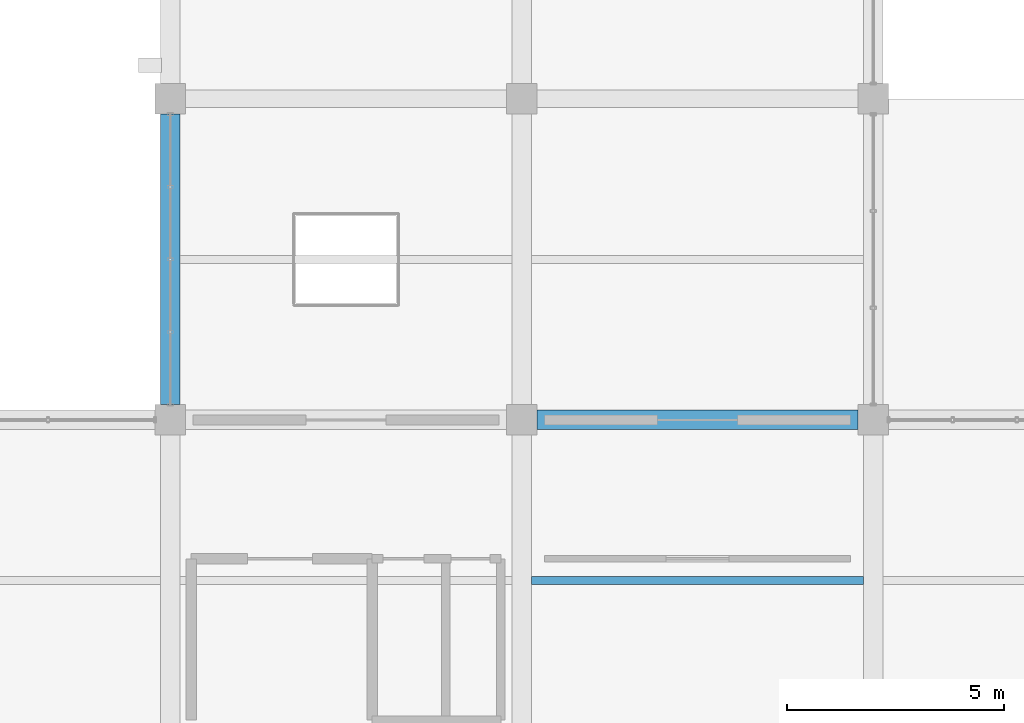
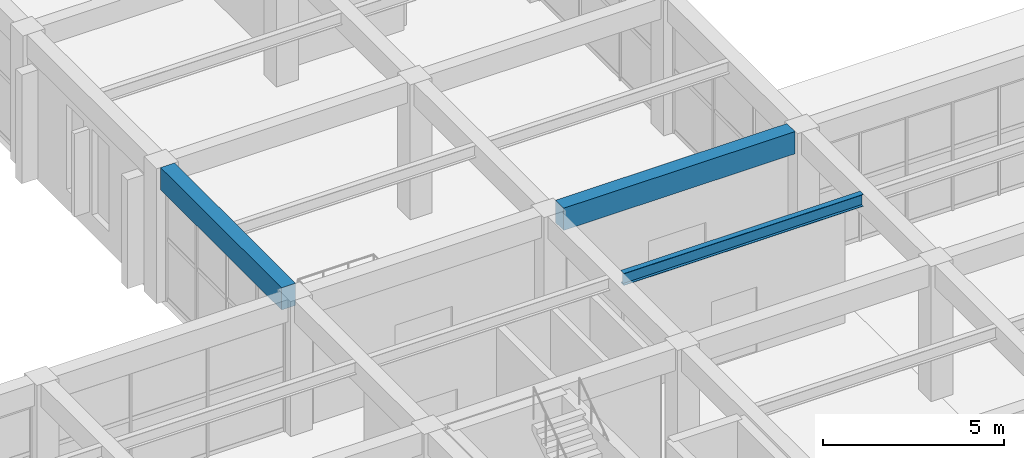
# One storey, part 19 of 161: 3 beams.
"""IFC4 building model written with IfcOpenShell, lengths in metres."""

from ifc_helpers import new_model, si_unit, direction, frame, origin, origin_2d, place, context, subcontext, project, spatial, rectangle, i_section, extrude, material, material_profile, profile_set, type_object, element, save


model = new_model("IFC4")

# Units and contexts
model_context = context("Model", 3, precision=1e-05, world=origin(), true_north=direction((0.0, 1.0)))
body_context = subcontext(model_context, "Body", "Model", "MODEL_VIEW")
ifc_project = project(units=[si_unit("LENGTHUNIT", "METRE"), si_unit("AREAUNIT", "SQUARE_METRE"), si_unit("VOLUMEUNIT", "CUBIC_METRE"), si_unit("PLANEANGLEUNIT", "RADIAN"), si_unit("MASSUNIT", "GRAM", prefix="KILO")], contexts=[model_context])

# Site, building, storey
site_placement = place(None, origin())
site = spatial("IfcSite", under=ifc_project, at=site_placement, CompositionType="ELEMENT")
building_placement = place(site_placement, origin())
building = spatial("IfcBuilding", under=site, at=building_placement, Name="Cimatlan Art Gallery", CompositionType="ELEMENT")
storey_placement = place(building_placement, frame((0.0, 0.0, 5.39990234375)))
storey = spatial("IfcBuildingStorey", under=building, at=storey_placement, Name="L01", CompositionType="ELEMENT", Elevation=5.39990234375)

# Beams
ifc_material_1 = material(Name="Concrete C40/50", Category="concrete")
ifc_material_profile_1 = material_profile(ifc_material_1, rectangle(XDim=0.449951171875, YDim=0.75, at=origin_2d()), Name="RC450X750")
ifc_profile_set_1 = profile_set([ifc_material_profile_1], Name="Concrete C40/50")
beam_type_1 = type_object("IfcBeamType", Name="BM-RC-450X750", PredefinedType="BEAM", material=ifc_profile_set_1)
beam_1_placement = place(storey_placement, frame((34.39990234375, 39.050048828125, 4.18505859375), z_axis=(0.0, 1.0, 0.0), x_axis=(-1.0, 0.0, 0.0)))
element("IfcBeam", 1, at=beam_1_placement, inside=storey, type_object=beam_type_1, Name="BM-Y-L01-04-05", PredefinedType="BEAM", context=body_context, shape_type="SweptSolid", body=[
    extrude(rectangle(XDim=0.449951171875, YDim=0.75, at=origin_2d()), origin(), (0.0, 0.0, 1.0), 6.699951171875),
])
beam_2_placement = place(storey_placement, frame((42.85009765625, 38.699951171875, 4.18505859375), z_axis=(1.0, 0.0, 0.0), x_axis=(0.0, 1.0, 0.0)))
element("IfcBeam", 2, at=beam_2_placement, inside=storey, type_object=beam_type_1, Name="BM-X-L01-05-05", PredefinedType="BEAM", context=body_context, shape_type="SweptSolid", body=[
    extrude(rectangle(XDim=0.449951171875, YDim=0.75, at=origin_2d()), origin(), (0.0, 0.0, 1.0), 7.39990234375),
])
ifc_material_2 = material(Name="Steel ASTM A992 Grade 50", Category="steel")
ifc_material_profile_2 = material_profile(ifc_material_2, i_section(OverallWidth=0.177978515625, OverallDepth=0.406982421875, WebThickness=0.0078125, FlangeThickness=0.0126953125, at=origin_2d()), Name="W16X40")
ifc_profile_set_2 = profile_set([ifc_material_profile_2], Name="Steel ASTM A992 Grade 50")
beam_type_2 = type_object("IfcBeamType", Name="BM-STL-W16X40", PredefinedType="JOIST", material=ifc_profile_set_2)
beam_3_placement = place(storey_placement, frame((42.72509765625, 35.0, 4.356689453125), z_axis=(1.0, 0.0, 0.0), x_axis=(0.0, 1.0, 0.0)))
element("IfcBeam", 3, at=beam_3_placement, inside=storey, type_object=beam_type_2, Name="JST-L01-05-04", PredefinedType="JOIST", context=body_context, shape_type="SweptSolid", body=[
    extrude(i_section(OverallWidth=0.177978515625, OverallDepth=0.406982421875, WebThickness=0.0078125, FlangeThickness=0.0126953125, at=origin_2d()), origin(), (0.0, 0.0, 1.0), 7.64990234375),
])

save(model, "model.ifc")
